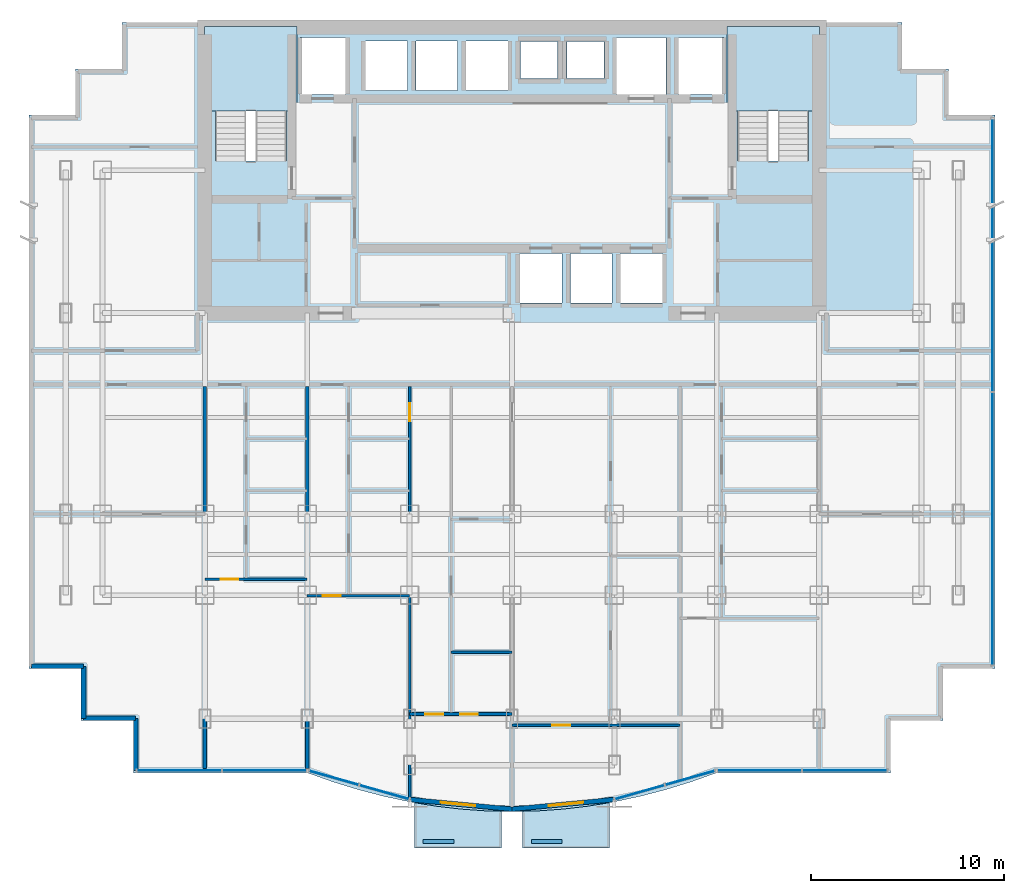
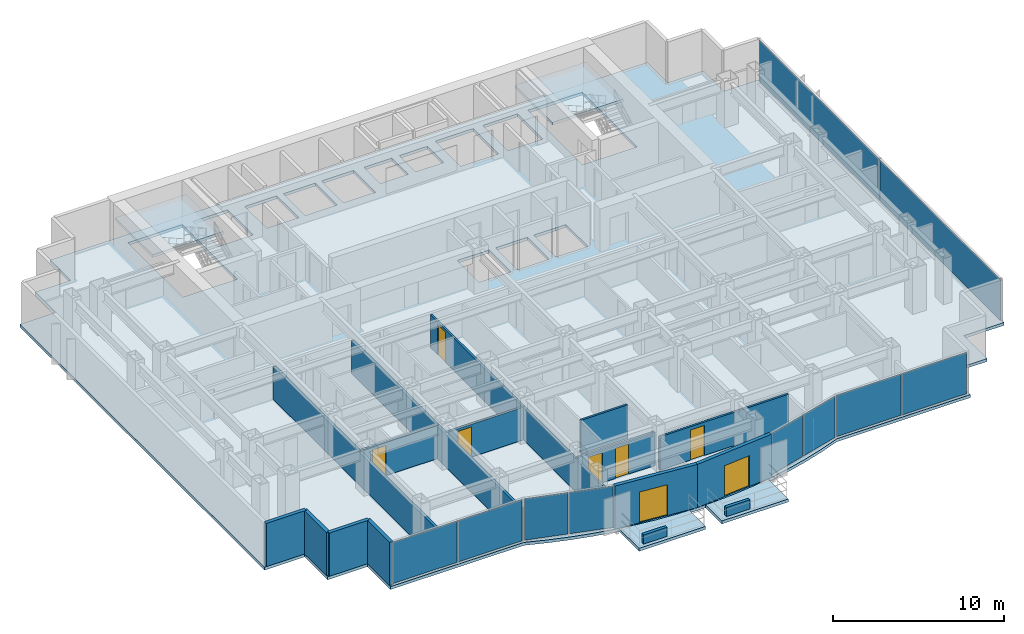
# One storey, part 6 of 12: 16 walls, 10 plates, 8 doors, 5 slabs, 8 openings, 7 elements without a shape of their own.
"""IFC4 building model written with IfcOpenShell, lengths in metres."""

from ifc_helpers import new_model, si_unit, direction, frame, frame_2d, origin, origin_2d, place, context, subcontext, project, spatial, polyline, rectangle, outline, extrude, source, transform, mapped, material, layer, layer_set, type_object, element, fill, aggregate, save


model = new_model("IFC4")

# Units and contexts
model_context = context("Model", 3, precision=1e-05, world=origin(), true_north=direction((0.0, 1.0)))
body_context = subcontext(model_context, "Body", "Model", "MODEL_VIEW")
ifc_project = project(units=[si_unit("LENGTHUNIT", "METRE"), si_unit("AREAUNIT", "SQUARE_METRE"), si_unit("VOLUMEUNIT", "CUBIC_METRE"), si_unit("PLANEANGLEUNIT", "RADIAN"), si_unit("MASSUNIT", "GRAM", prefix="KILO")], contexts=[model_context])

# Site, building, storey
site_placement = place(None, origin())
site = spatial("IfcSite", under=ifc_project, at=site_placement, CompositionType="ELEMENT")
building_placement = place(site_placement, origin())
building = spatial("IfcBuilding", under=site, at=building_placement, Name="Qianlan Lanfeng Residences", CompositionType="ELEMENT")
storey_placement = place(building_placement, frame((0.0, 0.0, 121.300048828125)))
storey = spatial("IfcBuildingStorey", under=building, at=storey_placement, Name="L33", CompositionType="ELEMENT", Elevation=121.300048828125)

# Slabs
ifc_material_1 = material(Name="Concrete C42", Category="concrete")
ifc_layer_1 = layer(ifc_material_1, 0.2099609375)
ifc_layer_set_1 = layer_set([ifc_layer_1], Name="Concrete C42")
slab_type_1 = type_object("IfcSlabType", Name="S-BAL-210", PredefinedType="FLOOR", material=ifc_layer_set_1)
slab_1_placement = place(storey_placement, frame((0.0, 0.0, -0.2099609375)))
element("IfcSlab", 1, at=slab_1_placement, inside=storey, type_object=slab_type_1, Name="L33 Planted Tree Balcony Slab SB-W", PredefinedType="FLOOR", context=body_context, shape_type="SweptSolid", body=[
    extrude(outline(polyline([(25.949951171875, -0.5869140625), (25.177001953125, -0.569091796875), (23.85498046875, -0.47509765625), (22.531982421875, -0.319091796875), (21.449951171875, -0.139892578125), (21.449951171875, -2.5), (25.949951171875, -2.5), (25.949951171875, -0.5869140625)])), origin(), (0.0, 0.0, 1.0), 0.2099609375),
])
slab_2_placement = place(storey_placement, frame((0.0, 0.0, -0.2099609375)))
element("IfcSlab", 2, at=slab_2_placement, inside=storey, type_object=slab_type_1, Name="L33 Planted Tree Balcony Slab SB-E", PredefinedType="FLOOR", context=body_context, shape_type="SweptSolid", body=[
    extrude(outline(polyline([(31.550048828125, -0.139892578125), (30.467041015625, -0.319091796875), (29.14501953125, -0.47509765625), (27.822021484375, -0.569091796875), (27.050048828125, -0.5869140625), (27.050048828125, -2.5), (31.550048828125, -2.5), (31.550048828125, -0.139892578125)])), origin(), (0.0, 0.0, 1.0), 0.2099609375),
])
ifc_layer_2 = layer(ifc_material_1, 0.2099609375)
ifc_layer_set_2 = layer_set([ifc_layer_2], Name="Concrete C42")
slab_type_2 = type_object("IfcSlabType", Name="S-FL-210", PredefinedType="FLOOR", material=ifc_layer_set_2)
slab_3_placement = place(storey_placement, frame((0.0, 0.0, -0.2099609375)))
element("IfcSlab", 3, at=slab_3_placement, inside=storey, type_object=slab_type_2, Name="L33 Structural Floor Slab", PredefinedType="FLOOR", context=body_context, shape_type="SweptSolid", body=[
    extrude(outline(polyline([(1.5, 6.800048828125), (4.199951171875, 6.800048828125), (4.199951171875, 4.10009765625), (6.89990234375, 4.10009765625), (6.89990234375, 1.39990234375), (15.919921875, 1.39990234375), (17.241943359375, 0.930908203125), (18.56494140625, 0.52490234375), (19.886962890625, 0.180908203125), (21.2099609375, -0.10009765625), (22.531982421875, -0.319091796875), (23.85498046875, -0.47509765625), (25.177001953125, -0.569091796875), (26.5, -0.60009765625), (27.822021484375, -0.569091796875), (29.14501953125, -0.47509765625), (30.467041015625, -0.319091796875), (31.7900390625, -0.10009765625), (33.112060546875, 0.180908203125), (34.43505859375, 0.52490234375), (35.758056640625, 0.930908203125), (37.080078125, 1.39990234375), (46.10009765625, 1.39990234375), (46.10009765625, 4.10009765625), (48.800048828125, 4.10009765625), (48.800048828125, 6.800048828125), (51.5, 6.800048828125), (51.5, 35.449951171875), (49.10009765625, 35.449951171875), (49.10009765625, 37.85009765625), (46.699951171875, 37.85009765625), (46.699951171875, 40.25), (6.300048828125, 40.25), (6.300048828125, 37.85009765625), (3.89990234375, 37.85009765625), (3.89990234375, 35.449951171875), (1.5, 35.449951171875), (1.5, 6.800048828125)]), holes=[polyline([(11.139892578125, 33.080078125), (11.139892578125, 39.5), (14.820068359375, 39.5), (14.820068359375, 33.080078125), (11.139892578125, 33.080078125)]), polyline([(38.179931640625, 33.080078125), (38.179931640625, 39.5), (41.860107421875, 39.5), (41.860107421875, 33.080078125), (38.179931640625, 33.080078125)]), polyline([(15.52001953125, 36.52001953125), (15.52001953125, 39.47998046875), (17.8798828125, 39.47998046875), (17.8798828125, 36.52001953125), (15.52001953125, 36.52001953125)]), polyline([(35.1201171875, 36.52001953125), (35.1201171875, 39.47998046875), (37.47998046875, 39.47998046875), (37.47998046875, 36.52001953125), (35.1201171875, 36.52001953125)]), polyline([(31.919921875, 36.52001953125), (31.919921875, 39.47998046875), (34.47998046875, 39.47998046875), (34.47998046875, 36.52001953125), (31.919921875, 36.52001953125)]), polyline([(26.919921875, 25.719970703125), (26.919921875, 28.280029296875), (29.080078125, 28.280029296875), (29.080078125, 25.719970703125), (26.919921875, 25.719970703125)]), polyline([(29.52001953125, 25.719970703125), (29.52001953125, 28.280029296875), (31.679931640625, 28.280029296875), (31.679931640625, 25.719970703125), (29.52001953125, 25.719970703125)]), polyline([(32.1201171875, 25.719970703125), (32.1201171875, 28.280029296875), (34.280029296875, 28.280029296875), (34.280029296875, 25.719970703125), (32.1201171875, 25.719970703125)]), polyline([(18.919921875, 36.719970703125), (18.919921875, 39.280029296875), (21.080078125, 39.280029296875), (21.080078125, 36.719970703125), (18.919921875, 36.719970703125)]), polyline([(21.52001953125, 36.719970703125), (21.52001953125, 39.280029296875), (23.679931640625, 39.280029296875), (23.679931640625, 36.719970703125), (21.52001953125, 36.719970703125)]), polyline([(24.1201171875, 36.719970703125), (24.1201171875, 39.280029296875), (26.280029296875, 39.280029296875), (26.280029296875, 36.719970703125), (24.1201171875, 36.719970703125)]), polyline([(26.949951171875, 37.35009765625), (26.949951171875, 39.25), (28.85009765625, 39.25), (28.85009765625, 37.35009765625), (26.949951171875, 37.35009765625)]), polyline([(29.35009765625, 37.35009765625), (29.35009765625, 39.25), (31.25, 39.25), (31.25, 37.35009765625), (29.35009765625, 37.35009765625)])]), origin(), (0.0, 0.0, 1.0), 0.2099609375),
])

# Stair, slab
stair_type = type_object("IfcStairType", Name="STR-MAIN", PredefinedType="HALF_TURN_STAIR", material=ifc_material_1)
stair_1_placement = place(storey_placement, origin())
stair_1 = element("IfcStair", 4, at=stair_1_placement, inside=storey, type_object=stair_type, Name="L33 Exit Stair ST-1", PredefinedType="HALF_TURN_STAIR")
ifc_layer_3 = layer(ifc_material_1, 0.179931640625)
ifc_layer_set_3 = layer_set([ifc_layer_3], Name="Concrete C42")
slab_type_3 = type_object("IfcSlabType", Name="S-LND-180", PredefinedType="LANDING", material=ifc_layer_set_3)
slab_4_placement = place(storey_placement, frame((0.0, 0.0, 1.449951171875)))
slab_4 = element("IfcSlab", 5, at=slab_4_placement, type_object=slab_type_3, Name="ST-1 landing 1", PredefinedType="LANDING", context=body_context, shape_type="SweptSolid", body=[
    extrude(outline(polyline([(10.580078125, 35.659912109375), (15.3798828125, 35.659912109375), (15.3798828125, 40.050048828125), (10.580078125, 40.050048828125), (10.580078125, 35.659912109375)])), origin(), (0.0, 0.0, 1.0), 0.199951171875),
])
aggregate(stair_1, [slab_4])

stair_2_placement = place(storey_placement, origin())
stair_2 = element("IfcStair", 6, at=stair_2_placement, inside=storey, type_object=stair_type, Name="L33 Exit Stair ST-2", PredefinedType="HALF_TURN_STAIR")
slab_5_placement = place(storey_placement, frame((0.0, 0.0, 1.449951171875)))
slab_5 = element("IfcSlab", 7, at=slab_5_placement, type_object=slab_type_3, Name="ST-2 landing 1", PredefinedType="LANDING", context=body_context, shape_type="SweptSolid", body=[
    extrude(outline(polyline([(37.6201171875, 35.659912109375), (42.419921875, 35.659912109375), (42.419921875, 40.050048828125), (37.6201171875, 40.050048828125), (37.6201171875, 35.659912109375)])), origin(), (0.0, 0.0, 1.0), 0.199951171875),
])
aggregate(stair_2, [slab_5])

# Curtain wall, plates
ifc_material_2 = material(Name="Anodised Bronze Aluminium 6063-T6", Category="aluminium")
ifc_layer_4 = layer(ifc_material_2, 0.219970703125)
ifc_layer_set_4 = layer_set([ifc_layer_4], Name="Anodised Bronze Aluminium 6063-T6")
curtain_wall_type = type_object("IfcCurtainWallType", Name="CW-03", PredefinedType="NOTDEFINED", material=ifc_layer_set_4)
curtain_wall_1_placement = place(storey_placement, origin())
curtain_wall_1 = element("IfcCurtainWall", 8, at=curtain_wall_1_placement, inside=storey, type_object=curtain_wall_type, Name="L33 Unitised Curtain Wall CWR-L33-01 (CW-03)", PredefinedType="NOTDEFINED")
ifc_material_3 = material(Name="Clear Low-E Insulated Glass", Category="glass")
ifc_layer_5 = layer(ifc_material_3, 0.035888671875)
ifc_layer_set_5 = layer_set([ifc_layer_5], Name="Clear Low-E Insulated Glass")
plate_type_1 = type_object("IfcPlateType", Name="PNL-GLZ-CLR", PredefinedType="CURTAIN_PANEL", material=ifc_layer_set_5)
shared_shape_1 = source(origin(), body_context, "Body", "SweptSolid", [
    extrude(rectangle(XDim=4.342529296875, YDim=0.035888671875, at=origin_2d()), origin(), (0.0, 0.0, 1.0), 2.931884765625),
])
plate_1_placement = place(storey_placement, frame((9.270263671875, 1.52001953125, 0.0791015625), z_axis=(0.0, 0.0, 1.0), x_axis=(1.0, 0.0, 0.0)))
plate_1 = element("IfcPlate", 9, at=plate_1_placement, type_object=plate_type_1, Name="CWR-L33-01 Curtain Panel 1", PredefinedType="CURTAIN_PANEL", context=body_context, shape_type="MappedRepresentation", body=[
    mapped(shared_shape_1, transform((0.0, 0.0, 0.0), scale=1.0)),
])
plate_2_placement = place(storey_placement, frame((13.690673828125, 1.52001953125, 0.0791015625), z_axis=(0.0, 0.0, 1.0), x_axis=(1.0, 0.0, 0.0)))
plate_2 = element("IfcPlate", 10, at=plate_2_placement, type_object=plate_type_1, Name="CWR-L33-01 Curtain Panel 2", PredefinedType="CURTAIN_PANEL", context=body_context, shape_type="MappedRepresentation", body=[
    mapped(shared_shape_1, transform((0.0, 0.0, 0.0), scale=1.0)),
])
aggregate(curtain_wall_1, [plate_1, plate_2])

# Curtain wall, plate
curtain_wall_2_placement = place(storey_placement, origin())
curtain_wall_2 = element("IfcCurtainWall", 11, at=curtain_wall_2_placement, inside=storey, type_object=curtain_wall_type, Name="L33 Unitised Curtain Wall CWR-L33-04 (CW-03)", PredefinedType="NOTDEFINED")
plate_3_placement = place(storey_placement, frame((39.30908203125, 1.52001953125, 0.0791015625), z_axis=(0.0, 0.0, 1.0), x_axis=(1.0, 0.0, 0.0)))
plate_3 = element("IfcPlate", 12, at=plate_3_placement, type_object=plate_type_1, Name="CWR-L33-04 Curtain Panel 1", PredefinedType="CURTAIN_PANEL", context=body_context, shape_type="MappedRepresentation", body=[
    mapped(shared_shape_1, transform((0.0, 0.0, 0.0), scale=1.0)),
])

curtain_wall_3_placement = place(storey_placement, origin())
curtain_wall_3 = element("IfcCurtainWall", 13, at=curtain_wall_3_placement, inside=storey, type_object=curtain_wall_type, Name="L33 Unitised Curtain Wall CWR-L33-02 (CW-03)", PredefinedType="NOTDEFINED")
shared_shape_2 = source(origin(), body_context, "Body", "SweptSolid", [
    extrude(rectangle(XDim=2.632080078125, YDim=0.035888671875, at=origin_2d()), origin(), (0.0, 0.0, 1.0), 2.931884765625),
])
plate_4_placement = place(storey_placement, frame((17.282958984375, 1.138916015625, 0.0791015625), z_axis=(0.0, 0.0, 1.0), x_axis=(0.961989074302, -0.273087936247, 0.0)))
plate_4 = element("IfcPlate", 14, at=plate_4_placement, type_object=plate_type_1, Name="CWR-L33-02 Curtain Panel 1", PredefinedType="CURTAIN_PANEL", context=body_context, shape_type="MappedRepresentation", body=[
    mapped(shared_shape_2, transform((0.0, 0.0, 0.0), scale=1.0)),
])

# Curtain wall, plates
curtain_wall_4_placement = place(storey_placement, origin())
curtain_wall_4 = element("IfcCurtainWall", 15, at=curtain_wall_4_placement, inside=storey, type_object=curtain_wall_type, Name="L33 Unitised Curtain Wall CWR-L33-03 (CW-03)", PredefinedType="NOTDEFINED")
plate_5_placement = place(storey_placement, frame((33.110107421875, 0.39892578125, 0.0791015625), z_axis=(0.0, 0.0, 1.0), x_axis=(0.961989074302, 0.273087936247, 0.0)))
plate_5 = element("IfcPlate", 16, at=plate_5_placement, type_object=plate_type_1, Name="CWR-L33-03 Curtain Panel 1", PredefinedType="CURTAIN_PANEL", context=body_context, shape_type="MappedRepresentation", body=[
    mapped(shared_shape_2, transform((0.0, 0.0, 0.0), scale=1.0)),
])
plate_6_placement = place(storey_placement, frame((35.717041015625, 1.138916015625, 0.0791015625), z_axis=(0.0, 0.0, 1.0), x_axis=(0.961989074302, 0.273087936247, 0.0)))
plate_6 = element("IfcPlate", 17, at=plate_6_placement, type_object=plate_type_1, Name="CWR-L33-03 Curtain Panel 2", PredefinedType="CURTAIN_PANEL", context=body_context, shape_type="MappedRepresentation", body=[
    mapped(shared_shape_2, transform((0.0, 0.0, 0.0), scale=1.0)),
])
aggregate(curtain_wall_4, [plate_5, plate_6])

# Plate
ifc_material_4 = material(Name="Perforated Anodised Bronze Aluminium Panel", Category="aluminium")
ifc_layer_6 = layer(ifc_material_4, 0.0419921875)
ifc_layer_set_6 = layer_set([ifc_layer_6], Name="Perforated Anodised Bronze Aluminium Panel")
plate_type_2 = type_object("IfcPlateType", Name="PNL-PRF-BRZ", PredefinedType="CURTAIN_PANEL", material=ifc_layer_set_6)
shared_shape_3 = source(origin(), body_context, "Body", "SweptSolid", [
    extrude(rectangle(XDim=2.632080078125, YDim=0.0419921875, at=origin_2d()), origin(), (0.0, 0.0, 1.0), 2.931884765625),
])
plate_7_placement = place(storey_placement, frame((19.889892578125, 0.39892578125, 0.0791015625), z_axis=(0.0, 0.0, 1.0), x_axis=(0.961989074302, -0.273087936247, 0.0)))
plate_7 = element("IfcPlate", 18, at=plate_7_placement, type_object=plate_type_2, Name="CWR-L33-02 Curtain Panel 2", PredefinedType="CURTAIN_PANEL", context=body_context, shape_type="MappedRepresentation", body=[
    mapped(shared_shape_3, transform((0.0, 0.0, 0.0), scale=1.0)),
])

aggregate(curtain_wall_3, [plate_4, plate_7])

shared_shape_4 = source(origin(), body_context, "Body", "SweptSolid", [
    extrude(rectangle(XDim=4.342529296875, YDim=0.0419921875, at=origin_2d()), origin(), (0.0, 0.0, 1.0), 2.931884765625),
])
plate_8_placement = place(storey_placement, frame((43.729736328125, 1.52001953125, 0.0791015625), z_axis=(0.0, 0.0, 1.0), x_axis=(1.0, 0.0, 0.0)))
plate_8 = element("IfcPlate", 19, at=plate_8_placement, type_object=plate_type_2, Name="CWR-L33-04 Curtain Panel 2", PredefinedType="CURTAIN_PANEL", context=body_context, shape_type="MappedRepresentation", body=[
    mapped(shared_shape_4, transform((0.0, 0.0, 0.0), scale=1.0)),
])

aggregate(curtain_wall_2, [plate_3, plate_8])

# Curtain wall, plates
curtain_wall_5_placement = place(storey_placement, origin())
curtain_wall_5 = element("IfcCurtainWall", 20, at=curtain_wall_5_placement, inside=storey, type_object=curtain_wall_type, Name="L33 Unitised Curtain Wall CWR-L33-05 (CW-03)", PredefinedType="NOTDEFINED")
shared_shape_5 = source(origin(), body_context, "Body", "SweptSolid", [
    extrude(rectangle(XDim=14.0869140625, YDim=0.035888671875, at=origin_2d()), origin(), (0.0, 0.0, 1.0), 2.931884765625),
])
plate_9_placement = place(storey_placement, frame((51.3798828125, 14.04248046875, 0.0791015625), z_axis=(0.0, 0.0, 1.0), x_axis=(0.0, 1.0, 0.0)))
plate_9 = element("IfcPlate", 21, at=plate_9_placement, type_object=plate_type_1, Name="CWR-L33-05 Curtain Panel 1", PredefinedType="CURTAIN_PANEL", context=body_context, shape_type="MappedRepresentation", body=[
    mapped(shared_shape_5, transform((0.0, 0.0, 0.0), scale=1.0)),
])
plate_10_placement = place(storey_placement, frame((51.3798828125, 28.20751953125, 0.0791015625), z_axis=(0.0, 0.0, 1.0), x_axis=(0.0, 1.0, 0.0)))
plate_10 = element("IfcPlate", 22, at=plate_10_placement, type_object=plate_type_1, Name="CWR-L33-05 Curtain Panel 2", PredefinedType="CURTAIN_PANEL", context=body_context, shape_type="MappedRepresentation", body=[
    mapped(shared_shape_5, transform((0.0, 0.0, 0.0), scale=1.0)),
])
aggregate(curtain_wall_5, [plate_9, plate_10])

# Walls
ifc_layer_7 = layer(ifc_material_1, 0.239990234375)
ifc_layer_set_7 = layer_set([ifc_layer_7], Name="Concrete C42")
wall_type_1 = type_object("IfcWallType", Name="EW-240", PredefinedType="SOLIDWALL", material=ifc_layer_set_7)
for number, where, z_axis, x_axis, name in (
    (23, (1.6201171875, 6.919921875, 0.0), (0.0, 0.0, 1.0), (1.0, 0.0, 0.0), "L33 Exterior Facade Spandrel Wall 1"),
    (24, (4.320068359375, 6.919921875, 0.0), (0.0, 0.0, 1.0), (0.0, -1.0, 0.0), "L33 Exterior Facade Spandrel Wall 2"),
    (25, (4.320068359375, 4.219970703125, 0.0), (0.0, 0.0, 1.0), (1.0, 0.0, 0.0), "L33 Exterior Facade Spandrel Wall 3"),
    (26, (7.02001953125, 4.219970703125, 0.0), (0.0, 0.0, 1.0), (0.0, -1.0, 0.0), "L33 Exterior Facade Spandrel Wall 4"),
):
    element("IfcWall", number, at=place(storey_placement, frame(where, z_axis=z_axis, x_axis=x_axis)), inside=storey, type_object=wall_type_1, Name=name, PredefinedType="SOLIDWALL", context=body_context, shape_type="SweptSolid", body=[
        extrude(rectangle(XDim=2.699951171875, YDim=0.239990234375, at=frame_2d((1.35009765625, 0.0))), origin(), (0.0, 0.0, 1.0), 3.08984375),
    ])

# Wall, opening, door
wall_1_placement = place(storey_placement, frame((21.23193359375, 0.01806640625, 0.0), z_axis=(0.0, 0.0, 1.0), x_axis=(0.995560760834, -0.094121046997, 0.0)))
wall_1 = element("IfcWall", 27, at=wall_1_placement, inside=storey, type_object=wall_type_1, Name="L33 Terrace/Balcony Access Exterior Wall 5", PredefinedType="SOLIDWALL", context=body_context, shape_type="SweptSolid", body=[
    extrude(rectangle(XDim=5.29150390625, YDim=0.239990234375, at=frame_2d((2.645751953125, 0.0))), origin(), (0.0, 0.0, 1.0), 3.08984375),
])
opening_1_placement = place(wall_1_placement, frame((1.576904296875, 0.0, 0.0)))
opening_1 = element("IfcOpeningElement", 28, at=opening_1_placement, cuts=wall_1, Name="Opening L33-D-SB-W", PredefinedType="OPENING", context=body_context, shape_type="SweptSolid", body=[
    extrude(rectangle(XDim=1.800048828125, YDim=2.199951171875, at=frame_2d((0.89990234375, 1.10009765625))), frame((0.0, 0.1298828125, 0.0), z_axis=(0.0, -1.0, 0.0), x_axis=(1.0, 0.0, 0.0)), (0.0, 0.0, 1.0), 0.260009765625),
])
ifc_material_5 = material(Name="Anodised Bronze Aluminium Framed Glass", Category="aluminium")
door_type_1 = type_object("IfcDoorType", Name="DT-BAL1", OperationType="NOTDEFINED", PredefinedType="DOOR", material=ifc_material_5)
door_1_placement = place(opening_1_placement, frame((1.800048828125, 0.0, 0.0), z_axis=(0.0, 0.0, 1.0), x_axis=(-1.0, 0.0, 0.0)))
door_1 = element("IfcDoor", 29, at=door_1_placement, inside=storey, type_object=door_type_1, Name="L33 Exterior Access Door SB-W", OperationType="DOUBLE_DOOR_SLIDING", OverallHeight=2.199951171875, OverallWidth=1.800048828125, PredefinedType="DOOR", context=body_context, shape_type="SweptSolid", body=[
    extrude(rectangle(XDim=1.800048828125, YDim=2.199951171875, at=frame_2d((0.89990234375, 1.10009765625))), frame((0.0, 0.02490234375, 0.0), z_axis=(0.0, -1.0, 0.0), x_axis=(1.0, 0.0, 0.0)), (0.0, 0.0, 1.0), 0.050048828125),
])
fill(opening_1, door_1)

wall_2_placement = place(storey_placement, frame((26.5, -0.47998046875, 0.0), z_axis=(0.0, 0.0, 1.0), x_axis=(0.995560760834, 0.094121046997, 0.0)))
wall_2 = element("IfcWall", 30, at=wall_2_placement, inside=storey, type_object=wall_type_1, Name="L33 Terrace/Balcony Access Exterior Wall 6", PredefinedType="SOLIDWALL", context=body_context, shape_type="SweptSolid", body=[
    extrude(rectangle(XDim=5.29150390625, YDim=0.239990234375, at=frame_2d((2.645751953125, 0.0))), origin(), (0.0, 0.0, 1.0), 3.08984375),
])
opening_2_placement = place(wall_2_placement, frame((1.9140625, 0.0, 0.0)))
opening_2 = element("IfcOpeningElement", 31, at=opening_2_placement, cuts=wall_2, Name="Opening L33-D-SB-E", PredefinedType="OPENING", context=body_context, shape_type="SweptSolid", body=[
    extrude(rectangle(XDim=1.800048828125, YDim=2.199951171875, at=frame_2d((0.89990234375, 1.10009765625))), frame((0.0, 0.1298828125, 0.0), z_axis=(0.0, -1.0, 0.0), x_axis=(1.0, 0.0, 0.0)), (0.0, 0.0, 1.0), 0.260009765625),
])
door_2_placement = place(opening_2_placement, frame((1.800048828125, 0.0, 0.0), z_axis=(0.0, 0.0, 1.0), x_axis=(-1.0, 0.0, 0.0)))
door_2 = element("IfcDoor", 32, at=door_2_placement, inside=storey, type_object=door_type_1, Name="L33 Exterior Access Door SB-E", OperationType="DOUBLE_DOOR_SLIDING", OverallHeight=2.199951171875, OverallWidth=1.800048828125, PredefinedType="DOOR", context=body_context, shape_type="SweptSolid", body=[
    extrude(rectangle(XDim=1.800048828125, YDim=2.199951171875, at=frame_2d((0.89990234375, 1.10009765625))), frame((0.0, 0.02490234375, 0.0), z_axis=(0.0, -1.0, 0.0), x_axis=(1.0, 0.0, 0.0)), (0.0, 0.0, 1.0), 0.050048828125),
])
fill(opening_2, door_2)

# Walls
ifc_layer_8 = layer(ifc_material_1, 0.199951171875)
ifc_layer_set_8 = layer_set([ifc_layer_8], Name="Concrete C42")
wall_type_2 = type_object("IfcWallType", Name="PL-TREE-200", PredefinedType="PARAPET", material=ifc_layer_set_8)
for number, where, z_axis, x_axis, name in (
    (33, (21.89990234375, -2.14990234375, 0.0), (0.0, 0.0, 1.0), (1.0, 0.0, 0.0), "L33 Balcony Tree Planter Curb SB-W"),
    (34, (27.5, -2.14990234375, 0.0), (0.0, 0.0, 1.0), (1.0, 0.0, 0.0), "L33 Balcony Tree Planter Curb SB-E"),
):
    element("IfcWall", number, at=place(storey_placement, frame(where, z_axis=z_axis, x_axis=x_axis)), inside=storey, type_object=wall_type_2, Name=name, PredefinedType="PARAPET", context=body_context, shape_type="SweptSolid", body=[
        extrude(rectangle(XDim=1.60009765625, YDim=0.199951171875, at=frame_2d((0.800048828125, 0.0))), origin(), (0.0, 0.0, 1.0), 0.64990234375),
    ])

# Wall, opening, door
ifc_material_6 = material(Name="Moisture-Resistant Gypsum Partition 135 mm")
ifc_layer_9 = layer(ifc_material_6, 0.135009765625)
ifc_layer_set_9 = layer_set([ifc_layer_9], Name="Moisture-Resistant Gypsum Partition 135 mm")
wall_type_3 = type_object("IfcWallType", Name="PW-135", PredefinedType="PARTITIONING", material=ifc_layer_set_9)
wall_3_placement = place(storey_placement, frame((10.60009765625, 11.419921875, 0.0), z_axis=(0.0, 0.0, 1.0), x_axis=(1.0, 0.0, 0.0)))
wall_3 = element("IfcWall", 35, at=wall_3_placement, inside=storey, type_object=wall_type_3, Name="L33 U01 Living Divider", PredefinedType="PARTITIONING", context=body_context, shape_type="SweptSolid", body=[
    extrude(rectangle(XDim=5.2998046875, YDim=0.135009765625, at=frame_2d((2.64990234375, 0.0))), origin(), (0.0, 0.0, 1.0), 2.3798828125),
])
opening_3_placement = place(wall_3_placement, frame((0.81494140625, 0.0, 0.0)))
opening_3 = element("IfcOpeningElement", 36, at=opening_3_placement, cuts=wall_3, Name="Opening L33-D18", PredefinedType="OPENING", context=body_context, shape_type="SweptSolid", body=[
    extrude(rectangle(XDim=0.919921875, YDim=2.14990234375, at=frame_2d((0.4599609375, 1.074951171875))), frame((0.0, 0.07763671875, 0.0), z_axis=(0.0, -1.0, 0.0), x_axis=(1.0, 0.0, 0.0)), (0.0, 0.0, 1.0), 0.155029296875),
])
ifc_material_7 = material(Name="Glazed Timber Kitchen/Study Door", Category="wood")
door_type_2 = type_object("IfcDoorType", Name="DT-INT", OperationType="NOTDEFINED", PredefinedType="DOOR", material=ifc_material_7)
door_3_placement = place(opening_3_placement, origin())
door_3 = element("IfcDoor", 37, at=door_3_placement, inside=storey, type_object=door_type_2, Name="L33 U01 Living Passage Door L33-D18 (DT-INT)", OperationType="SINGLE_SWING_LEFT", OverallHeight=2.14990234375, OverallWidth=0.919921875, PredefinedType="DOOR", context=body_context, shape_type="SweptSolid", body=[
    extrude(rectangle(XDim=0.919921875, YDim=2.14990234375, at=frame_2d((0.4599609375, 1.074951171875))), frame((0.0, 0.02490234375, 0.0), z_axis=(0.0, -1.0, 0.0), x_axis=(1.0, 0.0, 0.0)), (0.0, 0.0, 1.0), 0.050048828125),
])
fill(opening_3, door_3)

wall_4_placement = place(storey_placement, frame((21.199951171875, 0.126953125, 0.0), z_axis=(0.0, 0.0, 1.0), x_axis=(0.0, 1.0, 0.0)))
wall_4 = element("IfcWall", 38, at=wall_4_placement, inside=storey, type_object=wall_type_3, Name="L33 U02 Bay Spine Wall 1", PredefinedType="PARTITIONING", context=body_context, shape_type="SweptSolid", body=[
    extrude(rectangle(XDim=21.27294921875, YDim=0.135009765625, at=frame_2d((10.636474609375, 0.0))), origin(), (0.0, 0.0, 1.0), 2.3349609375),
])
opening_4_placement = place(wall_4_placement, frame((19.488037109375, 0.0, 0.0)))
opening_4 = element("IfcOpeningElement", 39, at=opening_4_placement, cuts=wall_4, Name="Opening L33-D23", PredefinedType="OPENING", context=body_context, shape_type="SweptSolid", body=[
    extrude(rectangle(XDim=0.919921875, YDim=2.14990234375, at=frame_2d((0.4599609375, 1.074951171875))), frame((0.0, 0.07763671875, 0.0), z_axis=(0.0, -1.0, 0.0), x_axis=(1.0, 0.0, 0.0)), (0.0, 0.0, 1.0), 0.155029296875),
])
door_4_placement = place(opening_4_placement, origin())
door_4 = element("IfcDoor", 40, at=door_4_placement, inside=storey, type_object=door_type_2, Name="L33 U02 Internal Hall Door L33-D23 (DT-INT)", OperationType="SINGLE_SWING_RIGHT", OverallHeight=2.14990234375, OverallWidth=0.919921875, PredefinedType="DOOR", context=body_context, shape_type="SweptSolid", body=[
    extrude(rectangle(XDim=0.919921875, YDim=2.14990234375, at=frame_2d((0.4599609375, 1.074951171875))), frame((0.0, 0.02490234375, 0.0), z_axis=(0.0, -1.0, 0.0), x_axis=(1.0, 0.0, 0.0)), (0.0, 0.0, 1.0), 0.050048828125),
])
fill(opening_4, door_4)

wall_5_placement = place(storey_placement, frame((15.89990234375, 10.56005859375, 0.0), z_axis=(0.0, 0.0, 1.0), x_axis=(1.0, 0.0, 0.0)))
wall_5 = element("IfcWall", 41, at=wall_5_placement, inside=storey, type_object=wall_type_3, Name="L33 U02 Living Divider", PredefinedType="PARTITIONING", context=body_context, shape_type="SweptSolid", body=[
    extrude(rectangle(XDim=5.300048828125, YDim=0.135009765625, at=frame_2d((2.64990234375, 0.0))), origin(), (0.0, 0.0, 1.0), 2.3349609375),
])
opening_5_placement = place(wall_5_placement, frame((0.81494140625, 0.0, 0.0)))
opening_5 = element("IfcOpeningElement", 42, at=opening_5_placement, cuts=wall_5, Name="Opening L33-D25", PredefinedType="OPENING", context=body_context, shape_type="SweptSolid", body=[
    extrude(rectangle(XDim=0.919921875, YDim=2.14990234375, at=frame_2d((0.4599609375, 1.074951171875))), frame((0.0, 0.07763671875, 0.0), z_axis=(0.0, -1.0, 0.0), x_axis=(1.0, 0.0, 0.0)), (0.0, 0.0, 1.0), 0.155029296875),
])
door_5_placement = place(opening_5_placement, origin())
door_5 = element("IfcDoor", 43, at=door_5_placement, inside=storey, type_object=door_type_2, Name="L33 U02 Living Passage Door L33-D25 (DT-INT)", OperationType="SINGLE_SWING_RIGHT", OverallHeight=2.14990234375, OverallWidth=0.919921875, PredefinedType="DOOR", context=body_context, shape_type="SweptSolid", body=[
    extrude(rectangle(XDim=0.919921875, YDim=2.14990234375, at=frame_2d((0.4599609375, 1.074951171875))), frame((0.0, 0.02490234375, 0.0), z_axis=(0.0, -1.0, 0.0), x_axis=(1.0, 0.0, 0.0)), (0.0, 0.0, 1.0), 0.050048828125),
])
fill(opening_5, door_5)

# Wall, openings, doors
wall_6_placement = place(storey_placement, frame((21.199951171875, 4.447021484375, 0.0), z_axis=(0.0, 0.0, 1.0), x_axis=(1.0, 0.0, 0.0)))
wall_6 = element("IfcWall", 44, at=wall_6_placement, inside=storey, type_object=wall_type_3, Name="L33 U02 Master Bedroom North Wall", PredefinedType="PARTITIONING", context=body_context, shape_type="SweptSolid", body=[
    extrude(rectangle(XDim=5.300048828125, YDim=0.135009765625, at=frame_2d((2.64990234375, 0.0))), origin(), (0.0, 0.0, 1.0), 2.3798828125),
])
opening_6_placement = place(wall_6_placement, frame((0.800048828125, 0.0, 0.0)))
opening_6 = element("IfcOpeningElement", 45, at=opening_6_placement, cuts=wall_6, Name="Opening L33-D29", PredefinedType="OPENING", context=body_context, shape_type="SweptSolid", body=[
    extrude(rectangle(XDim=0.949951171875, YDim=2.14990234375, at=frame_2d((0.47509765625, 1.074951171875))), frame((0.0, 0.07763671875, 0.0), z_axis=(0.0, -1.0, 0.0), x_axis=(1.0, 0.0, 0.0)), (0.0, 0.0, 1.0), 0.155029296875),
])
opening_7_placement = place(wall_6_placement, frame((2.625, 0.0, 0.0)))
opening_7 = element("IfcOpeningElement", 46, at=opening_7_placement, cuts=wall_6, Name="Opening L33-D30", PredefinedType="OPENING", context=body_context, shape_type="SweptSolid", body=[
    extrude(rectangle(XDim=0.89990234375, YDim=2.14990234375, at=frame_2d((0.449951171875, 1.074951171875))), frame((0.0, 0.07763671875, 0.0), z_axis=(0.0, -1.0, 0.0), x_axis=(1.0, 0.0, 0.0)), (0.0, 0.0, 1.0), 0.155029296875),
])
ifc_material_8 = material(Name="Painted Solid-Core Timber Leaf", Category="wood")
door_type_3 = type_object("IfcDoorType", Name="DT-BED", OperationType="NOTDEFINED", PredefinedType="DOOR", material=ifc_material_8)
door_6_placement = place(opening_6_placement, origin())
door_6 = element("IfcDoor", 47, at=door_6_placement, inside=storey, type_object=door_type_3, Name="L33 U02 Master Bedroom Door L33-D29 (DT-BED)", OperationType="SINGLE_SWING_RIGHT", OverallHeight=2.14990234375, OverallWidth=0.949951171875, PredefinedType="DOOR", context=body_context, shape_type="SweptSolid", body=[
    extrude(rectangle(XDim=0.949951171875, YDim=2.14990234375, at=frame_2d((0.47509765625, 1.074951171875))), frame((0.0, 0.02490234375, 0.0), z_axis=(0.0, -1.0, 0.0), x_axis=(1.0, 0.0, 0.0)), (0.0, 0.0, 1.0), 0.050048828125),
])
fill(opening_6, door_6)
ifc_material_9 = material(Name="Moisture-Resistant Timber Leaf", Category="wood")
door_type_4 = type_object("IfcDoorType", Name="DT-WC", OperationType="NOTDEFINED", PredefinedType="DOOR", material=ifc_material_9)
door_7_placement = place(opening_7_placement, origin())
door_7 = element("IfcDoor", 48, at=door_7_placement, inside=storey, type_object=door_type_4, Name="L33 U02 En-Suite Bathroom Door L33-D30 (DT-WC)", OperationType="SINGLE_SWING_RIGHT", OverallHeight=2.14990234375, OverallWidth=0.89990234375, PredefinedType="DOOR", context=body_context, shape_type="SweptSolid", body=[
    extrude(rectangle(XDim=0.89990234375, YDim=2.14990234375, at=frame_2d((0.449951171875, 1.074951171875))), frame((0.0, 0.02490234375, 0.0), z_axis=(0.0, -1.0, 0.0), x_axis=(1.0, 0.0, 0.0)), (0.0, 0.0, 1.0), 0.050048828125),
])
fill(opening_7, door_7)

# Wall
wall_7_placement = place(storey_placement, frame((23.35009765625, 7.64697265625, 0.0), z_axis=(0.0, 0.0, 1.0), x_axis=(1.0, 0.0, 0.0)))
element("IfcWall", 49, at=wall_7_placement, inside=storey, type_object=wall_type_3, Name="L33 U02 En-Suite North Wall", PredefinedType="PARTITIONING", context=body_context, shape_type="SweptSolid", body=[
    extrude(rectangle(XDim=3.14990234375, YDim=0.135009765625, at=frame_2d((1.574951171875, 0.0))), origin(), (0.0, 0.0, 1.0), 2.3798828125),
])

# Wall, opening, door
wall_8_placement = place(storey_placement, frame((26.5, 3.875, 0.0), z_axis=(0.0, 0.0, 1.0), x_axis=(1.0, 0.0, 0.0)))
wall_8 = element("IfcWall", 50, at=wall_8_placement, inside=storey, type_object=wall_type_3, Name="L33 U02 Bedroom 2 North Wall", PredefinedType="PARTITIONING", context=body_context, shape_type="SweptSolid", body=[
    extrude(rectangle(XDim=8.699951171875, YDim=0.135009765625, at=frame_2d((4.35009765625, 0.0))), origin(), (0.0, 0.0, 1.0), 2.3798828125),
])
opening_8_placement = place(wall_8_placement, frame((2.074951171875, 0.0, 0.0)))
opening_8 = element("IfcOpeningElement", 51, at=opening_8_placement, cuts=wall_8, Name="Opening L33-D33", PredefinedType="OPENING", context=body_context, shape_type="SweptSolid", body=[
    extrude(rectangle(XDim=0.949951171875, YDim=2.14990234375, at=frame_2d((0.47509765625, 1.074951171875))), frame((0.0, 0.07763671875, 0.0), z_axis=(0.0, -1.0, 0.0), x_axis=(1.0, 0.0, 0.0)), (0.0, 0.0, 1.0), 0.155029296875),
])
door_8_placement = place(opening_8_placement, origin())
door_8 = element("IfcDoor", 52, at=door_8_placement, inside=storey, type_object=door_type_3, Name="L33 U02 Bedroom 2 Door L33-D33 (DT-BED)", OperationType="SINGLE_SWING_RIGHT", OverallHeight=2.14990234375, OverallWidth=0.949951171875, PredefinedType="DOOR", context=body_context, shape_type="SweptSolid", body=[
    extrude(rectangle(XDim=0.949951171875, YDim=2.14990234375, at=frame_2d((0.47509765625, 1.074951171875))), frame((0.0, 0.02490234375, 0.0), z_axis=(0.0, -1.0, 0.0), x_axis=(1.0, 0.0, 0.0)), (0.0, 0.0, 1.0), 0.050048828125),
])
fill(opening_8, door_8)

# Walls
ifc_material_10 = material(Name="Double-Layer Acoustic Gypsum Stud Wall 180 mm")
ifc_layer_10 = layer(ifc_material_10, 0.179931640625)
ifc_layer_set_10 = layer_set([ifc_layer_10], Name="Double-Layer Acoustic Gypsum Stud Wall 180 mm")
wall_type_4 = type_object("IfcWallType", Name="PW-180", PredefinedType="PARTITIONING", material=ifc_layer_set_10)
for number, where, z_axis, x_axis, name in (
    (53, (10.60009765625, 1.6201171875, 0.0), (0.0, 0.0, 1.0), (0.0, 1.0, 0.0), "L33 Wing Boundary Party Wall W0"),
    (54, (15.89990234375, 1.6201171875, 0.0), (0.0, 0.0, 1.0), (0.0, 1.0, 0.0), "L33 Inter-Tenancy Party Wall 2"),
):
    element("IfcWall", number, at=place(storey_placement, frame(where, z_axis=z_axis, x_axis=x_axis)), inside=storey, type_object=wall_type_4, Name=name, PredefinedType="PARTITIONING", context=body_context, shape_type="SweptSolid", body=[
        extrude(rectangle(XDim=19.77978515625, YDim=0.179931640625, at=frame_2d((9.889892578125, 0.0))), origin(), (0.0, 0.0, 1.0), 2.3349609375),
    ])

save(model, "model.ifc")
